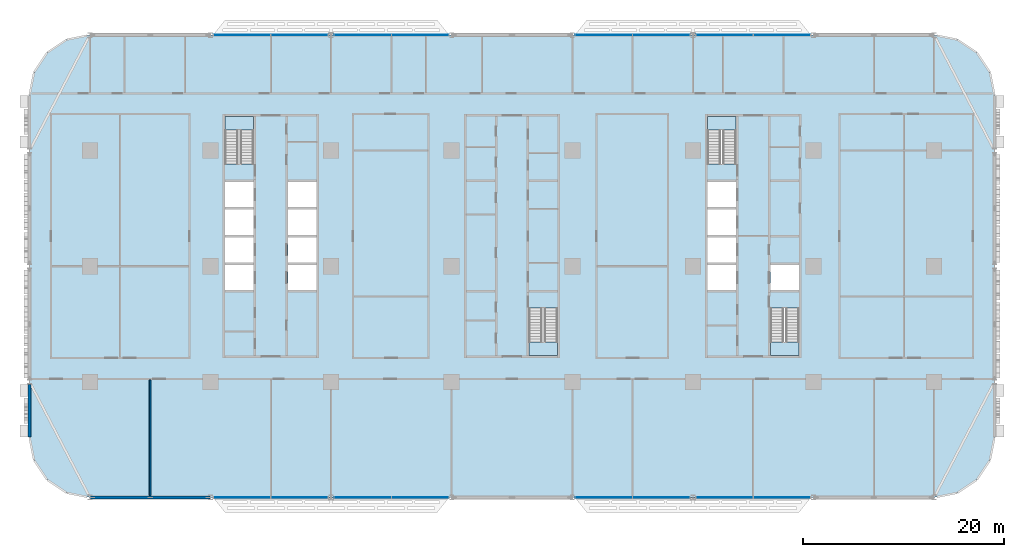
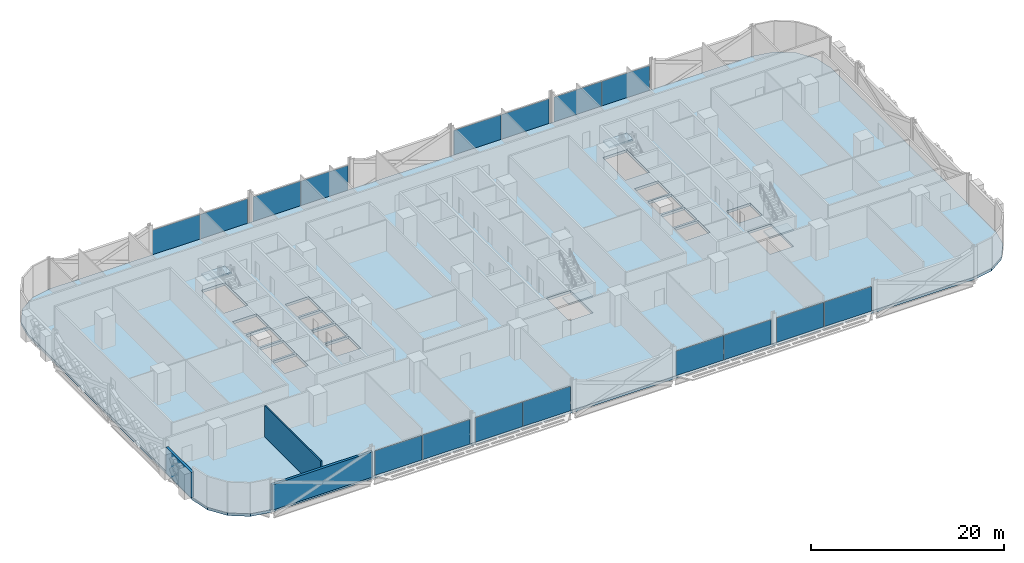
# One storey, part 9 of 28: 16 plates, 5 slabs, 3 walls, 12 elements without a shape of their own.
"""IFC4 building model written with IfcOpenShell, lengths in metres."""

from ifc_helpers import new_model, si_unit, direction, frame, frame_2d, origin, origin_2d, place, context, subcontext, project, spatial, polyline, rectangle, outline, extrude, material, layer, layer_set, type_object, element, aggregate, save


model = new_model("IFC4")

# Units and contexts
model_context = context("Model", 3, precision=1e-05, world=origin(), true_north=direction((0.0, 1.0)))
body_context = subcontext(model_context, "Body", "Model", "MODEL_VIEW")
ifc_project = project(units=[si_unit("LENGTHUNIT", "METRE"), si_unit("AREAUNIT", "SQUARE_METRE"), si_unit("VOLUMEUNIT", "CUBIC_METRE"), si_unit("PLANEANGLEUNIT", "RADIAN"), si_unit("MASSUNIT", "GRAM", prefix="KILO")], contexts=[model_context])

# Site, building, storey
site_placement = place(None, origin())
site = spatial("IfcSite", under=ifc_project, at=site_placement, CompositionType="ELEMENT")
building_placement = place(site_placement, origin())
building = spatial("IfcBuilding", under=site, at=building_placement, Name="Mahtab Terrace Research Tower", CompositionType="ELEMENT")
storey_placement = place(building_placement, frame((0.0, 0.0, 33.0)))
storey = spatial("IfcBuildingStorey", under=building, at=storey_placement, Name="L07", CompositionType="ELEMENT", Elevation=33.0)

# Stair, slab
ifc_material_1 = material(Name="Exit stair half-turn")
stair_type = type_object("IfcStairType", Name="Exit stair half-turn", PredefinedType="HALF_TURN_STAIR", material=ifc_material_1)
stair_1_placement = place(storey_placement, origin())
stair_1 = element("IfcStair", 1, at=stair_1_placement, inside=storey, type_object=stair_type, Name="L07 Protected exit stair ST1", PredefinedType="HALF_TURN_STAIR")
ifc_material_2 = material(Name="Concrete C40/50", Category="concrete")
ifc_layer_1 = layer(ifc_material_2, 0.199951171875)
ifc_layer_set_1 = layer_set([ifc_layer_1], Name="Exit stair landing 200")
slab_type_1 = type_object("IfcSlabType", Name="Exit stair landing 200", PredefinedType="LANDING", material=ifc_layer_set_1)
slab_1_placement = place(storey_placement, frame((0.0, 0.0, 1.949951171875)))
slab_1 = element("IfcSlab", 2, at=slab_1_placement, type_object=slab_type_1, Name="ST1 landing 1", PredefinedType="LANDING", context=body_context, shape_type="SweptSolid", body=[
    extrude(outline(polyline([(-25.699951171875, 13.534912109375), (-25.699951171875, 14.875), (-28.550048828125, 14.875), (-28.550048828125, 13.534912109375), (-25.699951171875, 13.534912109375)])), origin(), (0.0, 0.0, 1.0), 0.199951171875),
])
aggregate(stair_1, [slab_1])

stair_2_placement = place(storey_placement, origin())
stair_2 = element("IfcStair", 3, at=stair_2_placement, inside=storey, type_object=stair_type, Name="L07 Protected exit stair ST2", PredefinedType="HALF_TURN_STAIR")
slab_2_placement = place(storey_placement, frame((0.0, 0.0, 1.949951171875)))
slab_2 = element("IfcSlab", 4, at=slab_2_placement, type_object=slab_type_1, Name="ST2 landing 1", PredefinedType="LANDING", context=body_context, shape_type="SweptSolid", body=[
    extrude(outline(polyline([(1.699951171875, -7.534912109375), (1.699951171875, -8.875), (4.550048828125, -8.875), (4.550048828125, -7.534912109375), (1.699951171875, -7.534912109375)])), origin(), (0.0, 0.0, 1.0), 0.199951171875),
])
aggregate(stair_2, [slab_2])

stair_3_placement = place(storey_placement, origin())
stair_3 = element("IfcStair", 5, at=stair_3_placement, inside=storey, type_object=stair_type, Name="L07 Protected exit stair ST3", PredefinedType="HALF_TURN_STAIR")
slab_3_placement = place(storey_placement, frame((0.0, 0.0, 1.949951171875)))
slab_3 = element("IfcSlab", 6, at=slab_3_placement, type_object=slab_type_1, Name="ST3 landing 1", PredefinedType="LANDING", context=body_context, shape_type="SweptSolid", body=[
    extrude(outline(polyline([(22.300048828125, 13.534912109375), (22.300048828125, 14.875), (19.449951171875, 14.875), (19.449951171875, 13.534912109375), (22.300048828125, 13.534912109375)])), origin(), (0.0, 0.0, 1.0), 0.199951171875),
])
aggregate(stair_3, [slab_3])

stair_4_placement = place(storey_placement, origin())
stair_4 = element("IfcStair", 7, at=stair_4_placement, inside=storey, type_object=stair_type, Name="L07 Protected exit stair ST4", PredefinedType="HALF_TURN_STAIR")
slab_4_placement = place(storey_placement, frame((0.0, 0.0, 1.949951171875)))
slab_4 = element("IfcSlab", 8, at=slab_4_placement, type_object=slab_type_1, Name="ST4 landing 1", PredefinedType="LANDING", context=body_context, shape_type="SweptSolid", body=[
    extrude(outline(polyline([(25.699951171875, -7.534912109375), (25.699951171875, -8.875), (28.550048828125, -8.875), (28.550048828125, -7.534912109375), (25.699951171875, -7.534912109375)])), origin(), (0.0, 0.0, 1.0), 0.199951171875),
])
aggregate(stair_4, [slab_4])

# Curtain wall, plates
ifc_material_3 = material(Name="Laboratory ribbon curtain wall")
curtain_wall_type = type_object("IfcCurtainWallType", Name="Laboratory ribbon curtain wall", PredefinedType="NOTDEFINED", material=ifc_material_3)
curtain_wall_1_placement = place(storey_placement, origin())
curtain_wall_1 = element("IfcCurtainWall", 9, at=curtain_wall_1_placement, inside=storey, type_object=curtain_wall_type, Name="EN.L07.3.4", PredefinedType="NOTDEFINED")
ifc_material_4 = material(Name="Dark glazing", Category="glass")
ifc_layer_2 = layer(ifc_material_4, 0.031982421875)
ifc_layer_set_2 = layer_set([ifc_layer_2], Name="Laboratory ribbon curtain wall glazing panel")
plate_type = type_object("IfcPlateType", Name="Laboratory ribbon curtain wall glazing panel", PredefinedType="CURTAIN_PANEL", material=ifc_layer_set_2)
plate_1_placement = place(storey_placement, frame((26.859130859375, 23.0, 0.0), z_axis=(0.0, 0.0, 1.0), x_axis=(-1.0, 0.0, 0.0)))
plate_1 = element("IfcPlate", 10, at=plate_1_placement, type_object=plate_type, Name="CWL-1 panel 1", PredefinedType="CURTAIN_PANEL", context=body_context, shape_type="SweptSolid", body=[
    extrude(rectangle(XDim=5.653564453125, YDim=0.031982421875, at=origin_2d()), origin(), (0.0, 0.0, 1.0), 3.10302734375),
])
plate_2_placement = place(storey_placement, frame((21.140869140625, 23.0, 0.0), z_axis=(0.0, 0.0, 1.0), x_axis=(-1.0, 0.0, 0.0)))
plate_2 = element("IfcPlate", 11, at=plate_2_placement, type_object=plate_type, Name="CWL-1 panel 2", PredefinedType="CURTAIN_PANEL", context=body_context, shape_type="SweptSolid", body=[
    extrude(rectangle(XDim=5.653564453125, YDim=0.031982421875, at=origin_2d()), origin(), (0.0, 0.0, 1.0), 3.10302734375),
])
aggregate(curtain_wall_1, [plate_1, plate_2])

curtain_wall_2_placement = place(storey_placement, origin())
curtain_wall_2 = element("IfcCurtainWall", 12, at=curtain_wall_2_placement, inside=storey, type_object=curtain_wall_type, Name="EN.L07.3.5", PredefinedType="NOTDEFINED")
plate_3_placement = place(storey_placement, frame((14.859130859375, 23.0, 0.0), z_axis=(0.0, 0.0, 1.0), x_axis=(-1.0, 0.0, 0.0)))
plate_3 = element("IfcPlate", 13, at=plate_3_placement, type_object=plate_type, Name="CWL-1 panel 1", PredefinedType="CURTAIN_PANEL", context=body_context, shape_type="SweptSolid", body=[
    extrude(rectangle(XDim=5.653564453125, YDim=0.031982421875, at=origin_2d()), origin(), (0.0, 0.0, 1.0), 3.10302734375),
])
plate_4_placement = place(storey_placement, frame((9.140869140625, 23.0, 0.0), z_axis=(0.0, 0.0, 1.0), x_axis=(-1.0, 0.0, 0.0)))
plate_4 = element("IfcPlate", 14, at=plate_4_placement, type_object=plate_type, Name="CWL-1 panel 2", PredefinedType="CURTAIN_PANEL", context=body_context, shape_type="SweptSolid", body=[
    extrude(rectangle(XDim=5.653564453125, YDim=0.031982421875, at=origin_2d()), origin(), (0.0, 0.0, 1.0), 3.10302734375),
])
aggregate(curtain_wall_2, [plate_3, plate_4])

curtain_wall_3_placement = place(storey_placement, origin())
curtain_wall_3 = element("IfcCurtainWall", 15, at=curtain_wall_3_placement, inside=storey, type_object=curtain_wall_type, Name="EN.L07.3.7", PredefinedType="NOTDEFINED")
plate_5_placement = place(storey_placement, frame((-9.140869140625, 23.0, 0.0), z_axis=(0.0, 0.0, 1.0), x_axis=(-1.0, 0.0, 0.0)))
plate_5 = element("IfcPlate", 16, at=plate_5_placement, type_object=plate_type, Name="CWL-1 panel 1", PredefinedType="CURTAIN_PANEL", context=body_context, shape_type="SweptSolid", body=[
    extrude(rectangle(XDim=5.653564453125, YDim=0.031982421875, at=origin_2d()), origin(), (0.0, 0.0, 1.0), 3.10302734375),
])
plate_6_placement = place(storey_placement, frame((-14.859130859375, 23.0, 0.0), z_axis=(0.0, 0.0, 1.0), x_axis=(-1.0, 0.0, 0.0)))
plate_6 = element("IfcPlate", 17, at=plate_6_placement, type_object=plate_type, Name="CWL-1 panel 2", PredefinedType="CURTAIN_PANEL", context=body_context, shape_type="SweptSolid", body=[
    extrude(rectangle(XDim=5.653564453125, YDim=0.031982421875, at=origin_2d()), origin(), (0.0, 0.0, 1.0), 3.10302734375),
])
aggregate(curtain_wall_3, [plate_5, plate_6])

curtain_wall_4_placement = place(storey_placement, origin())
curtain_wall_4 = element("IfcCurtainWall", 18, at=curtain_wall_4_placement, inside=storey, type_object=curtain_wall_type, Name="EN.L07.3.8", PredefinedType="NOTDEFINED")
plate_7_placement = place(storey_placement, frame((-21.140869140625, 23.0, 0.0), z_axis=(0.0, 0.0, 1.0), x_axis=(-1.0, 0.0, 0.0)))
plate_7 = element("IfcPlate", 19, at=plate_7_placement, type_object=plate_type, Name="CWL-1 panel 1", PredefinedType="CURTAIN_PANEL", context=body_context, shape_type="SweptSolid", body=[
    extrude(rectangle(XDim=5.653564453125, YDim=0.031982421875, at=origin_2d()), origin(), (0.0, 0.0, 1.0), 3.10302734375),
])
plate_8_placement = place(storey_placement, frame((-26.859130859375, 23.0, 0.0), z_axis=(0.0, 0.0, 1.0), x_axis=(-1.0, 0.0, 0.0)))
plate_8 = element("IfcPlate", 20, at=plate_8_placement, type_object=plate_type, Name="CWL-1 panel 2", PredefinedType="CURTAIN_PANEL", context=body_context, shape_type="SweptSolid", body=[
    extrude(rectangle(XDim=5.653564453125, YDim=0.031982421875, at=origin_2d()), origin(), (0.0, 0.0, 1.0), 3.10302734375),
])
aggregate(curtain_wall_4, [plate_7, plate_8])

curtain_wall_5_placement = place(storey_placement, origin())
curtain_wall_5 = element("IfcCurtainWall", 21, at=curtain_wall_5_placement, inside=storey, type_object=curtain_wall_type, Name="EN.L07.13.23", PredefinedType="NOTDEFINED")
plate_9_placement = place(storey_placement, frame((-26.859130859375, -23.0, 0.0), z_axis=(0.0, 0.0, 1.0), x_axis=(1.0, 0.0, 0.0)))
plate_9 = element("IfcPlate", 22, at=plate_9_placement, type_object=plate_type, Name="CWL-1 panel 1", PredefinedType="CURTAIN_PANEL", context=body_context, shape_type="SweptSolid", body=[
    extrude(rectangle(XDim=5.653564453125, YDim=0.031982421875, at=origin_2d()), origin(), (0.0, 0.0, 1.0), 3.10302734375),
])
plate_10_placement = place(storey_placement, frame((-21.140869140625, -23.0, 0.0), z_axis=(0.0, 0.0, 1.0), x_axis=(1.0, 0.0, 0.0)))
plate_10 = element("IfcPlate", 23, at=plate_10_placement, type_object=plate_type, Name="CWL-1 panel 2", PredefinedType="CURTAIN_PANEL", context=body_context, shape_type="SweptSolid", body=[
    extrude(rectangle(XDim=5.653564453125, YDim=0.031982421875, at=origin_2d()), origin(), (0.0, 0.0, 1.0), 3.10302734375),
])
aggregate(curtain_wall_5, [plate_9, plate_10])

curtain_wall_6_placement = place(storey_placement, origin())
curtain_wall_6 = element("IfcCurtainWall", 24, at=curtain_wall_6_placement, inside=storey, type_object=curtain_wall_type, Name="EN.L07.13.24", PredefinedType="NOTDEFINED")
plate_11_placement = place(storey_placement, frame((-14.859130859375, -23.0, 0.0), z_axis=(0.0, 0.0, 1.0), x_axis=(1.0, 0.0, 0.0)))
plate_11 = element("IfcPlate", 25, at=plate_11_placement, type_object=plate_type, Name="CWL-1 panel 1", PredefinedType="CURTAIN_PANEL", context=body_context, shape_type="SweptSolid", body=[
    extrude(rectangle(XDim=5.653564453125, YDim=0.031982421875, at=origin_2d()), origin(), (0.0, 0.0, 1.0), 3.10302734375),
])
plate_12_placement = place(storey_placement, frame((-9.140869140625, -23.0, 0.0), z_axis=(0.0, 0.0, 1.0), x_axis=(1.0, 0.0, 0.0)))
plate_12 = element("IfcPlate", 26, at=plate_12_placement, type_object=plate_type, Name="CWL-1 panel 2", PredefinedType="CURTAIN_PANEL", context=body_context, shape_type="SweptSolid", body=[
    extrude(rectangle(XDim=5.653564453125, YDim=0.031982421875, at=origin_2d()), origin(), (0.0, 0.0, 1.0), 3.10302734375),
])
aggregate(curtain_wall_6, [plate_11, plate_12])

curtain_wall_7_placement = place(storey_placement, origin())
curtain_wall_7 = element("IfcCurtainWall", 27, at=curtain_wall_7_placement, inside=storey, type_object=curtain_wall_type, Name="EN.L07.13.26", PredefinedType="NOTDEFINED")
plate_13_placement = place(storey_placement, frame((9.140869140625, -23.0, 0.0), z_axis=(0.0, 0.0, 1.0), x_axis=(1.0, 0.0, 0.0)))
plate_13 = element("IfcPlate", 28, at=plate_13_placement, type_object=plate_type, Name="CWL-1 panel 1", PredefinedType="CURTAIN_PANEL", context=body_context, shape_type="SweptSolid", body=[
    extrude(rectangle(XDim=5.653564453125, YDim=0.031982421875, at=origin_2d()), origin(), (0.0, 0.0, 1.0), 3.10302734375),
])
plate_14_placement = place(storey_placement, frame((14.859130859375, -23.0, 0.0), z_axis=(0.0, 0.0, 1.0), x_axis=(1.0, 0.0, 0.0)))
plate_14 = element("IfcPlate", 29, at=plate_14_placement, type_object=plate_type, Name="CWL-1 panel 2", PredefinedType="CURTAIN_PANEL", context=body_context, shape_type="SweptSolid", body=[
    extrude(rectangle(XDim=5.653564453125, YDim=0.031982421875, at=origin_2d()), origin(), (0.0, 0.0, 1.0), 3.10302734375),
])
aggregate(curtain_wall_7, [plate_13, plate_14])

curtain_wall_8_placement = place(storey_placement, origin())
curtain_wall_8 = element("IfcCurtainWall", 30, at=curtain_wall_8_placement, inside=storey, type_object=curtain_wall_type, Name="EN.L07.13.27", PredefinedType="NOTDEFINED")
plate_15_placement = place(storey_placement, frame((21.140869140625, -23.0, 0.0), z_axis=(0.0, 0.0, 1.0), x_axis=(1.0, 0.0, 0.0)))
plate_15 = element("IfcPlate", 31, at=plate_15_placement, type_object=plate_type, Name="CWL-1 panel 1", PredefinedType="CURTAIN_PANEL", context=body_context, shape_type="SweptSolid", body=[
    extrude(rectangle(XDim=5.653564453125, YDim=0.031982421875, at=origin_2d()), origin(), (0.0, 0.0, 1.0), 3.10302734375),
])
plate_16_placement = place(storey_placement, frame((26.859130859375, -23.0, 0.0), z_axis=(0.0, 0.0, 1.0), x_axis=(1.0, 0.0, 0.0)))
plate_16 = element("IfcPlate", 32, at=plate_16_placement, type_object=plate_type, Name="CWL-1 panel 2", PredefinedType="CURTAIN_PANEL", context=body_context, shape_type="SweptSolid", body=[
    extrude(rectangle(XDim=5.653564453125, YDim=0.031982421875, at=origin_2d()), origin(), (0.0, 0.0, 1.0), 3.10302734375),
])
aggregate(curtain_wall_8, [plate_15, plate_16])

# Slab
ifc_layer_3 = layer(ifc_material_2, 0.340087890625)
ifc_layer_set_3 = layer_set([ifc_layer_3], Name="PT flat slab 340")
slab_type_2 = type_object("IfcSlabType", Name="PT flat slab 340", PredefinedType="FLOOR", material=ifc_layer_set_3)
slab_5_placement = place(storey_placement, frame((0.0, 0.0, -0.340087890625)))
element("IfcSlab", 33, at=slab_5_placement, inside=storey, type_object=slab_type_2, Name="Floor slab L07", PredefinedType="FLOOR", context=body_context, shape_type="SweptSolid", body=[
    extrude(outline(polyline([(47.54296875, 19.2958984375), (46.242919921875, 21.242919921875), (44.2958984375, 22.54296875), (42.0, 23.0), (-42.0, 23.0), (-44.2958984375, 22.54296875), (-46.242919921875, 21.242919921875), (-47.54296875, 19.2958984375), (-48.0, 17.0), (-48.0, -17.0), (-47.54296875, -19.2958984375), (-46.242919921875, -21.242919921875), (-44.2958984375, -22.54296875), (-42.0, -23.0), (42.0, -23.0), (44.2958984375, -22.54296875), (46.242919921875, -21.242919921875), (47.54296875, -19.2958984375), (48.0, -17.0), (48.0, 17.0), (47.54296875, 19.2958984375)]), holes=[polyline([(-28.550048828125, -2.375), (-28.550048828125, 0.125), (-25.699951171875, 0.125), (-25.699951171875, -2.375), (-28.550048828125, -2.375)]), polyline([(-22.300048828125, -2.375), (-22.300048828125, 0.125), (-19.449951171875, 0.125), (-19.449951171875, -2.375), (-22.300048828125, -2.375)]), polyline([(-28.550048828125, 0.375), (-28.550048828125, 2.875), (-25.699951171875, 2.875), (-25.699951171875, 0.375), (-28.550048828125, 0.375)]), polyline([(-22.300048828125, 0.375), (-22.300048828125, 2.875), (-19.449951171875, 2.875), (-19.449951171875, 0.375), (-22.300048828125, 0.375)]), polyline([(-28.550048828125, 3.125), (-28.550048828125, 5.625), (-25.699951171875, 5.625), (-25.699951171875, 3.125), (-28.550048828125, 3.125)]), polyline([(-22.300048828125, 3.125), (-22.300048828125, 5.625), (-19.449951171875, 5.625), (-19.449951171875, 3.125), (-22.300048828125, 3.125)]), polyline([(-28.550048828125, 5.875), (-28.550048828125, 8.375), (-25.699951171875, 8.375), (-25.699951171875, 5.875), (-28.550048828125, 5.875)]), polyline([(-22.300048828125, 5.875), (-22.300048828125, 8.375), (-19.449951171875, 8.375), (-19.449951171875, 5.875), (-22.300048828125, 5.875)]), polyline([(-28.550048828125, 10.177001953125), (-28.550048828125, 14.875), (-25.699951171875, 14.875), (-25.699951171875, 10.177001953125), (-28.550048828125, 10.177001953125)]), polyline([(1.699951171875, -8.875), (1.699951171875, -4.177001953125), (4.550048828125, -4.177001953125), (4.550048828125, -8.875), (1.699951171875, -8.875)]), polyline([(25.699951171875, -8.875), (25.699951171875, -4.177001953125), (28.550048828125, -4.177001953125), (28.550048828125, -8.875), (25.699951171875, -8.875)]), polyline([(19.449951171875, -2.375), (19.449951171875, 0.125), (22.300048828125, 0.125), (22.300048828125, -2.375), (19.449951171875, -2.375)]), polyline([(25.699951171875, -2.375), (25.699951171875, 0.125), (28.550048828125, 0.125), (28.550048828125, -2.375), (25.699951171875, -2.375)]), polyline([(19.449951171875, 0.375), (19.449951171875, 2.875), (22.300048828125, 2.875), (22.300048828125, 0.375), (19.449951171875, 0.375)]), polyline([(19.449951171875, 3.125), (19.449951171875, 5.625), (22.300048828125, 5.625), (22.300048828125, 3.125), (19.449951171875, 3.125)]), polyline([(19.449951171875, 8.375), (22.300048828125, 8.375), (22.300048828125, 5.875), (19.449951171875, 5.875), (19.449951171875, 8.375)]), polyline([(19.449951171875, 14.875), (22.300048828125, 14.875), (22.300048828125, 10.177001953125), (19.449951171875, 10.177001953125), (19.449951171875, 14.875)])]), origin(), (0.0, 0.0, 1.0), 0.340087890625),
])

# Walls
ifc_material_5 = material(Name="Black aluminium cladding panel", Category="aluminium")
ifc_layer_4 = layer(ifc_material_5, 0.300048828125)
ifc_layer_set_4 = layer_set([ifc_layer_4], Name="Opaque facade wall 300")
wall_type_1 = type_object("IfcWallType", Name="Opaque facade wall 300", PredefinedType="NOTDEFINED", material=ifc_layer_set_4)
wall_1_placement = place(storey_placement, frame((-48.0, -11.7490234375, 0.0), z_axis=(0.0, 0.0, 1.0), x_axis=(0.0, -1.0, 0.0)))
element("IfcWall", 34, at=wall_1_placement, inside=storey, type_object=wall_type_1, Name="Opaque facade wall L07 W17", PredefinedType="NOTDEFINED", context=body_context, shape_type="SweptSolid", body=[
    extrude(rectangle(XDim=5.2509765625, YDim=0.300048828125, at=frame_2d((2.62548828125, 0.0))), origin(), (0.0, 0.0, 1.0), 3.203125),
])
wall_2_placement = place(storey_placement, frame((-41.97216796875, -23.0, 0.0), z_axis=(0.0, 0.0, 1.0), x_axis=(1.0, 0.0, 0.0)))
element("IfcWall", 35, at=wall_2_placement, inside=storey, type_object=wall_type_1, Name="Opaque facade wall L07 S22", PredefinedType="NOTDEFINED", context=body_context, shape_type="SweptSolid", body=[
    extrude(rectangle(XDim=11.9443359375, YDim=0.300048828125, at=frame_2d((5.97216796875, 0.0))), origin(), (0.0, 0.0, 1.0), 3.203125),
])
ifc_material_6 = material(Name="Gypsum board partition on steel studs", Category="steel")
ifc_layer_5 = layer(ifc_material_6, 0.14990234375)
ifc_layer_set_5 = layer_set([ifc_layer_5], Name="WALL PARTITION 150")
wall_type_2 = type_object("IfcWallType", Name="WALL PARTITION 150", PredefinedType="PARTITIONING", material=ifc_layer_set_5)
wall_3_placement = place(storey_placement, frame((-36.0, -22.85009765625, 0.0), z_axis=(0.0, 0.0, 1.0), x_axis=(0.0, 1.0, 0.0)))
element("IfcWall", 36, at=wall_3_placement, inside=storey, type_object=wall_type_2, Name="L07-W031", PredefinedType="PARTITIONING", context=body_context, shape_type="SweptSolid", body=[
    extrude(rectangle(XDim=11.550048828125, YDim=0.14990234375, at=frame_2d((5.77490234375, 0.0))), origin(), (0.0, 0.0, 1.0), 3.9599609375),
])

save(model, "model.ifc")
